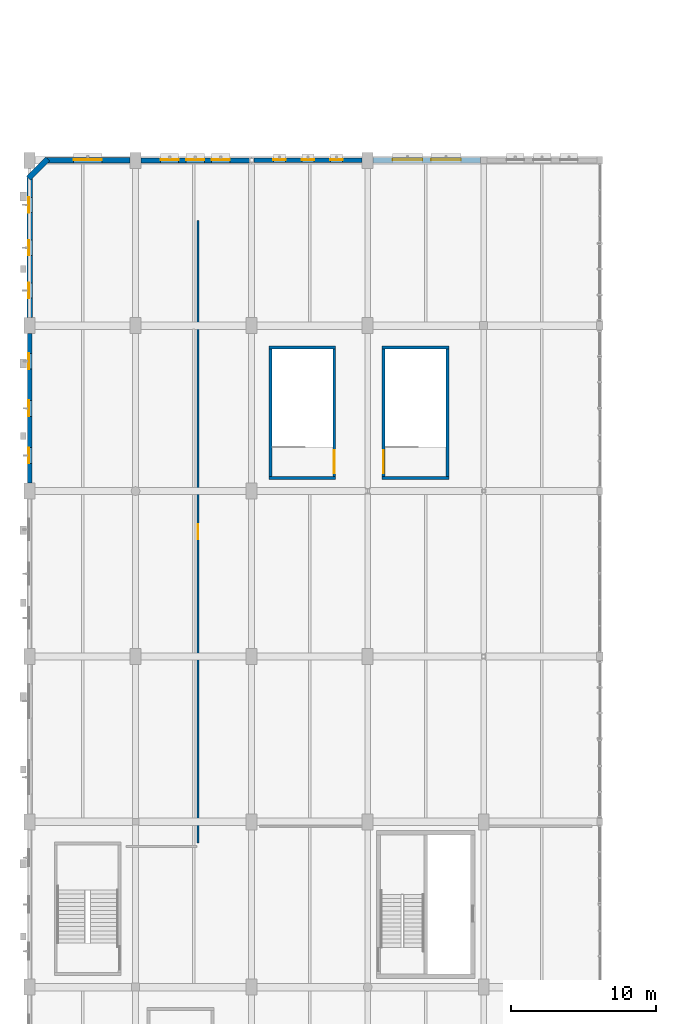
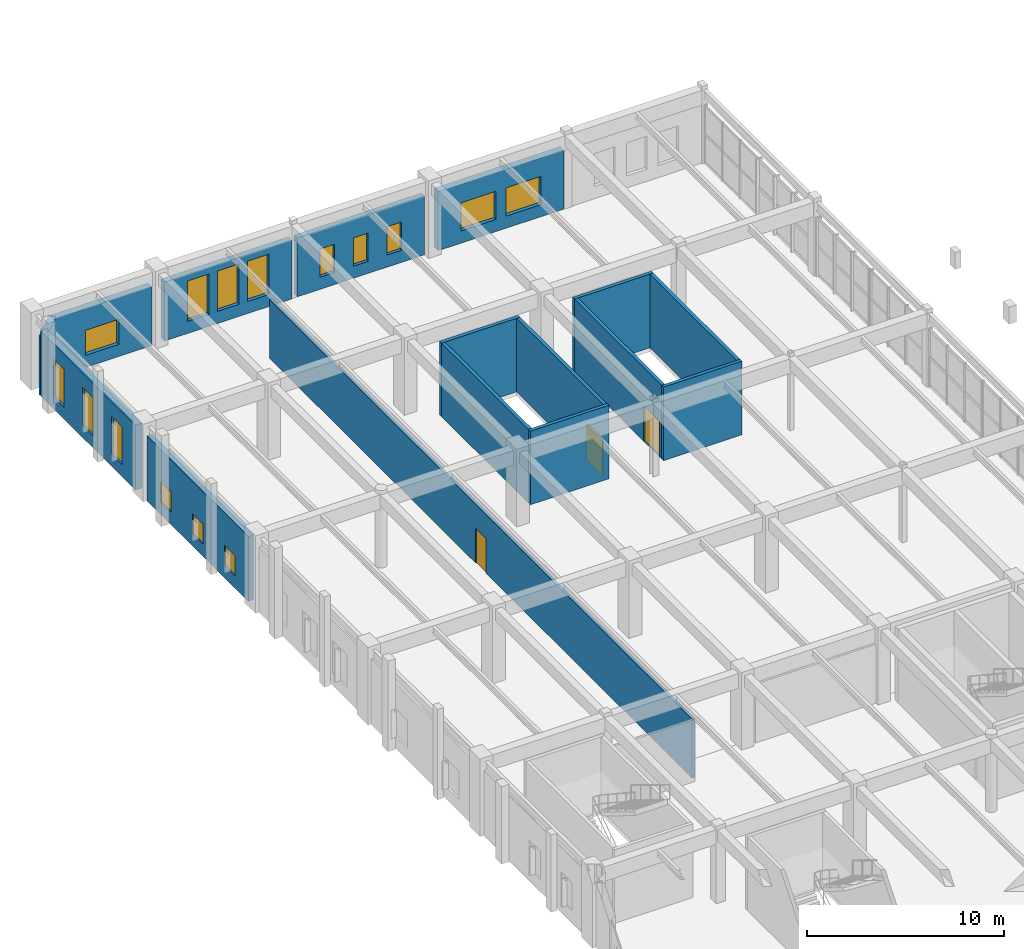
# One storey, part 84 of 106: 16 walls, 15 windows, 3 doors, 18 openings.
"""IFC4 building model written with IfcOpenShell, lengths in metres."""

import ifcopenshell
import ifcopenshell.guid

model = None  # the IFC model being written
_history = None  # IfcOwnerHistory: only IFC2X3 demands one
_inside = {}  # id of a spatial element -> (the spatial element, [elements in it])
_under = {}  # id of a project, library or spatial element -> (it, [spatial elements below it])
_declared = {}  # id of a project -> (the project, [libraries it declares])
_typed = {}  # id of a type object -> (the type object, [elements of that type])
_made_of = {}  # id of a material, layer set ... -> (it, [elements and type objects made of it])


def new_model(schema):
    """Start an empty IFC model of exactly this schema.

    Asked for "IFC4X3", IfcOpenShell would pick the latest addendum, in which some entities
    have other attributes; the version numbers below select the first issue.
    IFC2X3 requires an IfcOwnerHistory on every rooted entity: one is made here for all.
    """
    global model, _history
    if schema == "IFC4X3":
        model = ifcopenshell.file(schema_version=(4, 3, 0, 0))
    else:
        model = ifcopenshell.file(schema=schema)
    _inside.clear()
    _under.clear()
    _declared.clear()
    _typed.clear()
    _made_of.clear()
    _history = None
    if model.schema == "IFC2X3":
        org = make("IfcOrganization", Name="unknown")
        user = make(
            "IfcPersonAndOrganization",
            ThePerson=make("IfcPerson", FamilyName="unknown"),
            TheOrganization=org,
        )
        app = make(
            "IfcApplication",
            ApplicationDeveloper=org,
            Version="unknown",
            ApplicationFullName="unknown",
            ApplicationIdentifier="unknown",
        )
        _history = make(
            "IfcOwnerHistory",
            OwningUser=user,
            OwningApplication=app,
            ChangeAction="ADDED",
            CreationDate=0,
        )
    return model


def make(cls, **values):
    """One entity of the class cls with the attributes given. An attribute that is None is left unset."""
    return model.create_entity(
        cls, **{name: value for name, value in values.items() if value is not None}
    )


def rooted(cls, **values):
    """An entity with a GlobalId (a new one), such as an element, a storey or a relation."""
    return make(cls, GlobalId=ifcopenshell.guid.new(), OwnerHistory=_history, **values)


def si_unit(unit_type, name, prefix=None):
    """IfcSIUnit, for example si_unit("LENGTHUNIT", "METRE", prefix="MILLI")."""
    return make("IfcSIUnit", UnitType=unit_type, Prefix=prefix, Name=name)


def assignment(units):
    """IfcUnitAssignment: the units of a project."""
    return None if units is None else make("IfcUnitAssignment", Units=units)


def point(xyz):
    """IfcCartesianPoint."""
    return None if xyz is None else make("IfcCartesianPoint", Coordinates=xyz)


def direction(xyz):
    """IfcDirection."""
    return None if xyz is None else make("IfcDirection", DirectionRatios=xyz)


def frame(location, z_axis=None, x_axis=None):
    """IfcAxis2Placement3D, a coordinate frame: its origin and axes. An axis left out is left unset."""
    return make(
        "IfcAxis2Placement3D",
        Location=point(location),
        Axis=direction(z_axis),
        RefDirection=direction(x_axis),
    )


def frame_2d(location, x_axis=None):
    """IfcAxis2Placement2D, a coordinate frame in the plane: its origin and x axis."""
    return make(
        "IfcAxis2Placement2D", Location=point(location), RefDirection=direction(x_axis)
    )


def origin():
    """The frame at (0, 0, 0) with its axes left unset."""
    return frame((0.0, 0.0, 0.0))


def place(relative_to, where):
    """IfcLocalPlacement: puts the frame where relative to a parent placement (None: the world)."""
    return make(
        "IfcLocalPlacement", PlacementRelTo=relative_to, RelativePlacement=where
    )


def context(
    kind, dimensions, precision=None, world=None, true_north=None, identifier=None
):
    """IfcGeometricRepresentationContext, for example the 3D "Model" context."""
    return make(
        "IfcGeometricRepresentationContext",
        ContextIdentifier=identifier,
        ContextType=kind,
        CoordinateSpaceDimension=dimensions,
        Precision=precision,
        WorldCoordinateSystem=world,
        TrueNorth=true_north,
    )


def subcontext(parent, identifier, kind, view, scale=None):
    """IfcGeometricRepresentationSubContext, for example "Body" below "Model"."""
    return make(
        "IfcGeometricRepresentationSubContext",
        ContextIdentifier=identifier,
        ContextType=kind,
        ParentContext=parent,
        TargetScale=scale,
        TargetView=view,
    )


def project(units=None, contexts=None):
    """IfcProject with its units and contexts."""
    return rooted(
        "IfcProject",
        Name="project",
        RepresentationContexts=contexts,
        UnitsInContext=assignment(units),
    )


def spatial(cls, under=None, at=None, **own):
    """A site, building, storey or space (cls), placed at a placement, below another one or the project."""
    s = rooted(cls, ObjectPlacement=at, **own)
    if under is not None:
        _under.setdefault(under.id(), (under, []))[1].append(s)
    return s


def profile(cls, at=None, kind="AREA", **sizes):
    """A parametric profile (cls). Its sizes go by their IFC names, for example OverallWidth=200.0."""
    return make(cls, ProfileType=kind, Position=at, **sizes)


def rectangle(**sizes):
    """IfcRectangleProfileDef."""
    return profile("IfcRectangleProfileDef", **sizes)


def extrude(swept, where, along, depth):
    """IfcExtrudedAreaSolid: the profile swept, set in the frame where, extruded along a direction by depth."""
    return make(
        "IfcExtrudedAreaSolid",
        SweptArea=swept,
        Position=where,
        ExtrudedDirection=direction(along),
        Depth=depth,
    )


def shape(context_of_items, identifier, shape_type, items):
    """IfcShapeRepresentation: the items that make up one representation, for example the "Body"."""
    return make(
        "IfcShapeRepresentation",
        ContextOfItems=context_of_items,
        RepresentationIdentifier=identifier,
        RepresentationType=shape_type,
        Items=items,
    )


def material(Name=None, Category=None):
    """IfcMaterial."""
    return make("IfcMaterial", Name=Name, Category=Category)


def layer(
    of_material, thickness, ventilated=None, Name=None, Category=None, Priority=None
):
    """IfcMaterialLayer: one layer of a wall or slab, of a material (None: an air gap)."""
    return make(
        "IfcMaterialLayer",
        Material=of_material,
        LayerThickness=thickness,
        IsVentilated=ventilated,
        Name=Name,
        Category=Category,
        Priority=Priority,
    )


def layer_set(layers, Name=None):
    """IfcMaterialLayerSet."""
    return make("IfcMaterialLayerSet", MaterialLayers=layers, LayerSetName=Name)


def made_of(thing, what):
    """Note that an element or type object is made of a material, layer set ...; save() writes the relation."""
    if what is not None:
        _made_of.setdefault(what.id(), (what, []))[1].append(thing)
    return thing


def type_object(cls, material=None, **own):
    """A type object (cls), such as IfcWallType, which elements share."""
    return made_of(rooted(cls, **own), material)


def element(
    cls,
    number,
    at=None,
    inside=None,
    cuts=None,
    type_object=None,
    material=None,
    context=None,
    identifier="Body",
    shape_type=None,
    held_by="IfcProductDefinitionShape",
    body=None,
    shapes=None,
    **own,
):
    """One element of the class cls, such as IfcWall. Its Tag is "e" and its number.

    at: its placement. inside: the storey or other place that contains it. cuts: it is an
    opening in that element (IfcRelVoidsElement). A single representation is given by context,
    identifier, shape_type and body (its items); several are given by shapes. held_by: the class
    of the entity that holds the representations. save() writes the other relations.
    """
    e = rooted(cls, Tag="e%d" % number, ObjectPlacement=at, **own)
    if body is not None:
        shapes = [shape(context, identifier, shape_type, body)]
    if shapes is not None:
        e.Representation = make(held_by, Representations=shapes)
    if inside is not None:
        _inside.setdefault(inside.id(), (inside, []))[1].append(e)
    if cuts is not None:
        rooted(
            "IfcRelVoidsElement", RelatingBuildingElement=cuts, RelatedOpeningElement=e
        )
    if type_object is not None:
        _typed.setdefault(type_object.id(), (type_object, []))[1].append(e)
    return made_of(e, material)


def fill(opening, filler):
    """IfcRelFillsElement: the door or window that sits in an opening."""
    return rooted(
        "IfcRelFillsElement",
        RelatingOpeningElement=opening,
        RelatedBuildingElement=filler,
    )


def aggregate(whole, parts):
    """IfcRelAggregates: a whole, such as a stair, and the parts it consists of."""
    return rooted("IfcRelAggregates", RelatingObject=whole, RelatedObjects=parts)


def save(model, path):
    """Write the relations noted so far, then the file.

    IfcRelAggregates (storeys below a building ...), IfcRelContainedInSpatialStructure (elements
    in a storey), IfcRelDefinesByType, IfcRelAssociatesMaterial and IfcRelDeclares: one each for
    every whole, place, type object, material and project.
    """
    for whole, parts in _under.values():
        aggregate(whole, parts)
    for where, things in _inside.values():
        rooted(
            "IfcRelContainedInSpatialStructure",
            RelatedElements=things,
            RelatingStructure=where,
        )
    for kind, things in _typed.values():
        rooted("IfcRelDefinesByType", RelatedObjects=things, RelatingType=kind)
    for what, things in _made_of.values():
        rooted("IfcRelAssociatesMaterial", RelatedObjects=things, RelatingMaterial=what)
    for by, libraries in _declared.values():
        rooted("IfcRelDeclares", RelatingContext=by, RelatedDefinitions=libraries)
    model.write(path)


model = new_model("IFC4")

# Units and contexts
model_context = context("Model", 3, precision=1e-05, world=origin(), true_north=direction((0.0, 1.0)))
body_context = subcontext(model_context, "Body", "Model", "MODEL_VIEW")
ifc_project = project(units=[si_unit("LENGTHUNIT", "METRE"), si_unit("AREAUNIT", "SQUARE_METRE"), si_unit("VOLUMEUNIT", "CUBIC_METRE"), si_unit("PLANEANGLEUNIT", "RADIAN"), si_unit("MASSUNIT", "GRAM", prefix="KILO"), si_unit("POWERUNIT", "WATT"), si_unit("THERMODYNAMICTEMPERATUREUNIT", "KELVIN")], contexts=[model_context])

# Site, building, storey
site_placement = place(None, origin())
site = spatial("IfcSite", under=ifc_project, at=site_placement, CompositionType="ELEMENT")
building_placement = place(site_placement, origin())
building = spatial("IfcBuilding", under=site, at=building_placement, Name="Kelmbourne Parkland Aquatics Centre", CompositionType="ELEMENT")
storey_placement = place(building_placement, frame((0.0, 0.0, 5.39990234375)))
storey = spatial("IfcBuildingStorey", under=building, at=storey_placement, Name="L01", CompositionType="ELEMENT", Elevation=5.39990234375)

# Wall, openings, windows
ifc_material_1 = material(Name="Russet clinker clay brickwork", Category="masonry")
ifc_layer_1 = layer(ifc_material_1, 0.31005859375)
ifc_layer_set_1 = layer_set([ifc_layer_1], Name="Russet clinker clay brickwork")
wall_type_1 = type_object("IfcWallType", Name="W-EXT-310", PredefinedType="STANDARD", material=ifc_layer_set_1)
wall_1_placement = place(storey_placement, frame((0.699951171875, 69.751953125, 0.0), z_axis=(0.0, 0.0, 1.0), x_axis=(0.0, 1.0, 0.0)))
wall_1 = element("IfcWall", 1, at=wall_1_placement, inside=storey, type_object=wall_type_1, Name="Exterior polychrome brick wall EW-L01-062", PredefinedType="STANDARD", context=body_context, shape_type="SweptSolid", body=[
    extrude(rectangle(XDim=10.296142578125, YDim=0.31005859375, at=frame_2d((5.14794921875, 0.0))), origin(), (0.0, 0.0, 1.0), 4.01220703125),
])
opening_1_placement = place(wall_1_placement, frame((1.35009765625, 0.0, 0.75)))
opening_1 = element("IfcOpeningElement", 2, at=opening_1_placement, cuts=wall_1, Name="Opening W13", PredefinedType="OPENING", context=body_context, shape_type="SweptSolid", body=[
    extrude(rectangle(XDim=1.10009765625, YDim=1.25, at=frame_2d((0.550048828125, 0.625))), frame((0.0, 0.1669921875, 0.0), z_axis=(0.0, -1.0, 0.0), x_axis=(1.0, 0.0, 0.0)), (0.0, 0.0, 1.0), 0.333984375),
])
opening_2_placement = place(wall_1_placement, frame((4.597900390625, 0.0, 0.75)))
opening_2 = element("IfcOpeningElement", 3, at=opening_2_placement, cuts=wall_1, Name="Opening W13", PredefinedType="OPENING", context=body_context, shape_type="SweptSolid", body=[
    extrude(rectangle(XDim=1.10009765625, YDim=1.25, at=frame_2d((0.550048828125, 0.625))), frame((0.0, 0.1669921875, 0.0), z_axis=(0.0, -1.0, 0.0), x_axis=(1.0, 0.0, 0.0)), (0.0, 0.0, 1.0), 0.333984375),
])
opening_3_placement = place(wall_1_placement, frame((7.845947265625, 0.0, 0.75)))
opening_3 = element("IfcOpeningElement", 4, at=opening_3_placement, cuts=wall_1, Name="Opening W13", PredefinedType="OPENING", context=body_context, shape_type="SweptSolid", body=[
    extrude(rectangle(XDim=1.10009765625, YDim=1.25, at=frame_2d((0.550048828125, 0.625))), frame((0.0, 0.1669921875, 0.0), z_axis=(0.0, -1.0, 0.0), x_axis=(1.0, 0.0, 0.0)), (0.0, 0.0, 1.0), 0.333984375),
])
ifc_material_2 = material(Name="Thermally broken anodised aluminium window with low-e glass", Category="aluminium")
ifc_layer_2 = layer(ifc_material_2, 0.090087890625)
ifc_layer_set_2 = layer_set([ifc_layer_2], Name="Thermally broken anodised aluminium window with low-e glass")
window_type_1 = type_object("IfcWindowType", Name="WN-13", PartitioningType="SINGLE_PANEL", PredefinedType="WINDOW", material=ifc_layer_set_2)
window_1_placement = place(opening_1_placement, origin())
window_1 = element("IfcWindow", 5, at=window_1_placement, inside=storey, type_object=window_type_1, Name="Deep-reveal masonry window W13", OverallHeight=1.25, OverallWidth=1.10009765625, PartitioningType="SINGLE_PANEL", PredefinedType="WINDOW", context=body_context, shape_type="SweptSolid", body=[
    extrude(rectangle(XDim=1.10009765625, YDim=1.25, at=frame_2d((0.550048828125, 0.625))), frame((0.0, 0.080078125, 0.0), z_axis=(0.0, -1.0, 0.0), x_axis=(1.0, 0.0, 0.0)), (0.0, 0.0, 1.0), 0.06005859375),
])
fill(opening_1, window_1)
window_2_placement = place(opening_2_placement, origin())
window_2 = element("IfcWindow", 6, at=window_2_placement, inside=storey, type_object=window_type_1, Name="Deep-reveal masonry window W13", OverallHeight=1.25, OverallWidth=1.10009765625, PartitioningType="SINGLE_PANEL", PredefinedType="WINDOW", context=body_context, shape_type="SweptSolid", body=[
    extrude(rectangle(XDim=1.10009765625, YDim=1.25, at=frame_2d((0.550048828125, 0.625))), frame((0.0, 0.080078125, 0.0), z_axis=(0.0, -1.0, 0.0), x_axis=(1.0, 0.0, 0.0)), (0.0, 0.0, 1.0), 0.06005859375),
])
fill(opening_2, window_2)
window_3_placement = place(opening_3_placement, origin())
window_3 = element("IfcWindow", 7, at=window_3_placement, inside=storey, type_object=window_type_1, Name="Deep-reveal masonry window W13", OverallHeight=1.25, OverallWidth=1.10009765625, PartitioningType="SINGLE_PANEL", PredefinedType="WINDOW", context=body_context, shape_type="SweptSolid", body=[
    extrude(rectangle(XDim=1.10009765625, YDim=1.25, at=frame_2d((0.550048828125, 0.625))), frame((0.0, 0.080078125, 0.0), z_axis=(0.0, -1.0, 0.0), x_axis=(1.0, 0.0, 0.0)), (0.0, 0.0, 1.0), 0.06005859375),
])
fill(opening_3, window_3)

wall_2_placement = place(storey_placement, frame((16.152099609375, 92.0, 0.0), z_axis=(0.0, 0.0, 1.0), x_axis=(1.0, 0.0, 0.0)))
wall_2 = element("IfcWall", 8, at=wall_2_placement, inside=storey, type_object=wall_type_1, Name="Exterior polychrome brick wall EW-L01-071", PredefinedType="STANDARD", context=body_context, shape_type="SweptSolid", body=[
    extrude(rectangle(XDim=7.470947265625, YDim=0.31005859375, at=frame_2d((3.7353515625, 0.0))), origin(), (0.0, 0.0, 1.0), 3.64501953125),
])
opening_4_placement = place(wall_2_placement, frame((1.35009765625, 0.0, 0.75)))
opening_4 = element("IfcOpeningElement", 9, at=opening_4_placement, cuts=wall_2, Name="Opening W01", PredefinedType="OPENING", context=body_context, shape_type="SweptSolid", body=[
    extrude(rectangle(XDim=0.85009765625, YDim=1.75, at=frame_2d((0.425048828125, 0.875))), frame((0.0, 0.1669921875, 0.0), z_axis=(0.0, -1.0, 0.0), x_axis=(1.0, 0.0, 0.0)), (0.0, 0.0, 1.0), 0.333984375),
])
opening_5_placement = place(wall_2_placement, frame((3.310546875, 0.0, 0.75)))
opening_5 = element("IfcOpeningElement", 10, at=opening_5_placement, cuts=wall_2, Name="Opening W01", PredefinedType="OPENING", context=body_context, shape_type="SweptSolid", body=[
    extrude(rectangle(XDim=0.85009765625, YDim=1.75, at=frame_2d((0.425048828125, 0.875))), frame((0.0, 0.1669921875, 0.0), z_axis=(0.0, -1.0, 0.0), x_axis=(1.0, 0.0, 0.0)), (0.0, 0.0, 1.0), 0.333984375),
])
opening_6_placement = place(wall_2_placement, frame((5.27099609375, 0.0, 0.75)))
opening_6 = element("IfcOpeningElement", 11, at=opening_6_placement, cuts=wall_2, Name="Opening W01", PredefinedType="OPENING", context=body_context, shape_type="SweptSolid", body=[
    extrude(rectangle(XDim=0.85009765625, YDim=1.75, at=frame_2d((0.425048828125, 0.875))), frame((0.0, 0.1669921875, 0.0), z_axis=(0.0, -1.0, 0.0), x_axis=(1.0, 0.0, 0.0)), (0.0, 0.0, 1.0), 0.333984375),
])
ifc_layer_3 = layer(ifc_material_2, 0.090087890625)
ifc_layer_set_3 = layer_set([ifc_layer_3], Name="Thermally broken anodised aluminium window with low-e glass")
window_type_2 = type_object("IfcWindowType", Name="WN-01", PartitioningType="SINGLE_PANEL", PredefinedType="WINDOW", material=ifc_layer_set_3)
window_4_placement = place(opening_4_placement, origin())
window_4 = element("IfcWindow", 12, at=window_4_placement, inside=storey, type_object=window_type_2, Name="Deep-reveal masonry window W01", OverallHeight=1.75, OverallWidth=0.85009765625, PartitioningType="SINGLE_PANEL", PredefinedType="WINDOW", context=body_context, shape_type="SweptSolid", body=[
    extrude(rectangle(XDim=0.85009765625, YDim=1.75, at=frame_2d((0.425048828125, 0.875))), frame((0.0, 0.080078125, 0.0), z_axis=(0.0, -1.0, 0.0), x_axis=(1.0, 0.0, 0.0)), (0.0, 0.0, 1.0), 0.06005859375),
])
fill(opening_4, window_4)
window_5_placement = place(opening_5_placement, origin())
window_5 = element("IfcWindow", 13, at=window_5_placement, inside=storey, type_object=window_type_2, Name="Deep-reveal masonry window W01", OverallHeight=1.75, OverallWidth=0.85009765625, PartitioningType="SINGLE_PANEL", PredefinedType="WINDOW", context=body_context, shape_type="SweptSolid", body=[
    extrude(rectangle(XDim=0.85009765625, YDim=1.75, at=frame_2d((0.425048828125, 0.875))), frame((0.0, 0.080078125, 0.0), z_axis=(0.0, -1.0, 0.0), x_axis=(1.0, 0.0, 0.0)), (0.0, 0.0, 1.0), 0.06005859375),
])
fill(opening_5, window_5)
window_6_placement = place(opening_6_placement, origin())
window_6 = element("IfcWindow", 14, at=window_6_placement, inside=storey, type_object=window_type_2, Name="Deep-reveal masonry window W01", OverallHeight=1.75, OverallWidth=0.85009765625, PartitioningType="SINGLE_PANEL", PredefinedType="WINDOW", context=body_context, shape_type="SweptSolid", body=[
    extrude(rectangle(XDim=0.85009765625, YDim=1.75, at=frame_2d((0.425048828125, 0.875))), frame((0.0, 0.080078125, 0.0), z_axis=(0.0, -1.0, 0.0), x_axis=(1.0, 0.0, 0.0)), (0.0, 0.0, 1.0), 0.06005859375),
])
fill(opening_6, window_6)

ifc_material_3 = material(Name="Polychrome glazed brick header coursework", Category="masonry")
ifc_layer_4 = layer(ifc_material_3, 0.35009765625)
ifc_layer_set_4 = layer_set([ifc_layer_4], Name="Polychrome glazed brick header coursework")
wall_type_2 = type_object("IfcWallType", Name="W-EXT-350", PredefinedType="STANDARD", material=ifc_layer_set_4)
wall_3_placement = place(storey_placement, frame((8.376953125, 92.0, 0.0), z_axis=(0.0, 0.0, 1.0), x_axis=(1.0, 0.0, 0.0)))
wall_3 = element("IfcWall", 15, at=wall_3_placement, inside=storey, type_object=wall_type_2, Name="Exterior polychrome brick wall EW-L01-070", PredefinedType="STANDARD", context=body_context, shape_type="SweptSolid", body=[
    extrude(rectangle(XDim=7.470947265625, YDim=0.35009765625, at=frame_2d((3.7353515625, 0.0))), origin(), (0.0, 0.0, 1.0), 3.64501953125),
])
opening_7_placement = place(wall_3_placement, frame((1.35009765625, 0.0, 0.75)))
opening_7 = element("IfcOpeningElement", 16, at=opening_7_placement, cuts=wall_3, Name="Opening W25", PredefinedType="OPENING", context=body_context, shape_type="SweptSolid", body=[
    extrude(rectangle(XDim=1.25, YDim=2.5, at=frame_2d((0.625, 1.25))), frame((0.0, 0.18701171875, 0.0), z_axis=(0.0, -1.0, 0.0), x_axis=(1.0, 0.0, 0.0)), (0.0, 0.0, 1.0), 0.3740234375),
])
opening_8_placement = place(wall_3_placement, frame((3.110595703125, 0.0, 0.75)))
opening_8 = element("IfcOpeningElement", 17, at=opening_8_placement, cuts=wall_3, Name="Opening W25", PredefinedType="OPENING", context=body_context, shape_type="SweptSolid", body=[
    extrude(rectangle(XDim=1.25, YDim=2.5, at=frame_2d((0.625, 1.25))), frame((0.0, 0.18701171875, 0.0), z_axis=(0.0, -1.0, 0.0), x_axis=(1.0, 0.0, 0.0)), (0.0, 0.0, 1.0), 0.3740234375),
])
opening_9_placement = place(wall_3_placement, frame((4.87109375, 0.0, 0.75)))
opening_9 = element("IfcOpeningElement", 18, at=opening_9_placement, cuts=wall_3, Name="Opening W25", PredefinedType="OPENING", context=body_context, shape_type="SweptSolid", body=[
    extrude(rectangle(XDim=1.25, YDim=2.5, at=frame_2d((0.625, 1.25))), frame((0.0, 0.18701171875, 0.0), z_axis=(0.0, -1.0, 0.0), x_axis=(1.0, 0.0, 0.0)), (0.0, 0.0, 1.0), 0.3740234375),
])
ifc_layer_5 = layer(ifc_material_2, 0.090087890625)
ifc_layer_set_5 = layer_set([ifc_layer_5], Name="Thermally broken anodised aluminium window with low-e glass")
window_type_3 = type_object("IfcWindowType", Name="WN-25", PartitioningType="SINGLE_PANEL", PredefinedType="WINDOW", material=ifc_layer_set_5)
window_7_placement = place(opening_7_placement, origin())
window_7 = element("IfcWindow", 19, at=window_7_placement, inside=storey, type_object=window_type_3, Name="Deep-reveal masonry window W25", OverallHeight=2.5, OverallWidth=1.25, PartitioningType="SINGLE_PANEL", PredefinedType="WINDOW", context=body_context, shape_type="SweptSolid", body=[
    extrude(rectangle(XDim=1.25, YDim=2.5, at=frame_2d((0.625, 1.25))), frame((0.0, 0.080078125, 0.0), z_axis=(0.0, -1.0, 0.0), x_axis=(1.0, 0.0, 0.0)), (0.0, 0.0, 1.0), 0.06005859375),
])
fill(opening_7, window_7)
window_8_placement = place(opening_8_placement, origin())
window_8 = element("IfcWindow", 20, at=window_8_placement, inside=storey, type_object=window_type_3, Name="Deep-reveal masonry window W25", OverallHeight=2.5, OverallWidth=1.25, PartitioningType="SINGLE_PANEL", PredefinedType="WINDOW", context=body_context, shape_type="SweptSolid", body=[
    extrude(rectangle(XDim=1.25, YDim=2.5, at=frame_2d((0.625, 1.25))), frame((0.0, 0.080078125, 0.0), z_axis=(0.0, -1.0, 0.0), x_axis=(1.0, 0.0, 0.0)), (0.0, 0.0, 1.0), 0.06005859375),
])
fill(opening_8, window_8)
window_9_placement = place(opening_9_placement, origin())
window_9 = element("IfcWindow", 21, at=window_9_placement, inside=storey, type_object=window_type_3, Name="Deep-reveal masonry window W25", OverallHeight=2.5, OverallWidth=1.25, PartitioningType="SINGLE_PANEL", PredefinedType="WINDOW", context=body_context, shape_type="SweptSolid", body=[
    extrude(rectangle(XDim=1.25, YDim=2.5, at=frame_2d((0.625, 1.25))), frame((0.0, 0.080078125, 0.0), z_axis=(0.0, -1.0, 0.0), x_axis=(1.0, 0.0, 0.0)), (0.0, 0.0, 1.0), 0.06005859375),
])
fill(opening_9, window_9)

ifc_layer_6 = layer(ifc_material_1, 0.389892578125)
ifc_layer_set_6 = layer_set([ifc_layer_6], Name="Russet clinker clay brickwork")
wall_type_3 = type_object("IfcWallType", Name="W-EXT-390", PredefinedType="STANDARD", material=ifc_layer_set_6)
wall_4_placement = place(storey_placement, frame((0.699951171875, 81.152099609375, 0.0), z_axis=(0.0, 0.0, 1.0), x_axis=(0.0, 1.0, 0.0)))
wall_4 = element("IfcWall", 22, at=wall_4_placement, inside=storey, type_object=wall_type_3, Name="Exterior polychrome brick wall EW-L01-063", PredefinedType="STANDARD", context=body_context, shape_type="SweptSolid", body=[
    extrude(rectangle(XDim=9.64794921875, YDim=0.389892578125, at=frame_2d((4.823974609375, 0.0))), origin(), (0.0, 0.0, 1.0), 4.01220703125),
])
opening_10_placement = place(wall_4_placement, frame((1.35009765625, 0.0, 0.75)))
opening_10 = element("IfcOpeningElement", 23, at=opening_10_placement, cuts=wall_4, Name="Opening W17", PredefinedType="OPENING", context=body_context, shape_type="SweptSolid", body=[
    extrude(rectangle(XDim=1.050048828125, YDim=2.35009765625, at=frame_2d((0.52490234375, 1.175048828125))), frame((0.0, 0.20703125, 0.0), z_axis=(0.0, -1.0, 0.0), x_axis=(1.0, 0.0, 0.0)), (0.0, 0.0, 1.0), 0.413818359375),
])
opening_11_placement = place(wall_4_placement, frame((4.299072265625, 0.0, 0.75)))
opening_11 = element("IfcOpeningElement", 24, at=opening_11_placement, cuts=wall_4, Name="Opening W17", PredefinedType="OPENING", context=body_context, shape_type="SweptSolid", body=[
    extrude(rectangle(XDim=1.050048828125, YDim=2.35009765625, at=frame_2d((0.52490234375, 1.175048828125))), frame((0.0, 0.20703125, 0.0), z_axis=(0.0, -1.0, 0.0), x_axis=(1.0, 0.0, 0.0)), (0.0, 0.0, 1.0), 0.413818359375),
])
opening_12_placement = place(wall_4_placement, frame((7.248046875, 0.0, 0.75)))
opening_12 = element("IfcOpeningElement", 25, at=opening_12_placement, cuts=wall_4, Name="Opening W17", PredefinedType="OPENING", context=body_context, shape_type="SweptSolid", body=[
    extrude(rectangle(XDim=1.050048828125, YDim=2.35009765625, at=frame_2d((0.52490234375, 1.175048828125))), frame((0.0, 0.20703125, 0.0), z_axis=(0.0, -1.0, 0.0), x_axis=(1.0, 0.0, 0.0)), (0.0, 0.0, 1.0), 0.413818359375),
])
ifc_layer_7 = layer(ifc_material_2, 0.090087890625)
ifc_layer_set_7 = layer_set([ifc_layer_7], Name="Thermally broken anodised aluminium window with low-e glass")
window_type_4 = type_object("IfcWindowType", Name="WN-17", PartitioningType="SINGLE_PANEL", PredefinedType="WINDOW", material=ifc_layer_set_7)
window_10_placement = place(opening_10_placement, origin())
window_10 = element("IfcWindow", 26, at=window_10_placement, inside=storey, type_object=window_type_4, Name="Deep-reveal masonry window W17", OverallHeight=2.35009765625, OverallWidth=1.050048828125, PartitioningType="SINGLE_PANEL", PredefinedType="WINDOW", context=body_context, shape_type="SweptSolid", body=[
    extrude(rectangle(XDim=1.050048828125, YDim=2.35009765625, at=frame_2d((0.52490234375, 1.175048828125))), frame((0.0, 0.080078125, 0.0), z_axis=(0.0, -1.0, 0.0), x_axis=(1.0, 0.0, 0.0)), (0.0, 0.0, 1.0), 0.06005859375),
])
fill(opening_10, window_10)
window_11_placement = place(opening_11_placement, origin())
window_11 = element("IfcWindow", 27, at=window_11_placement, inside=storey, type_object=window_type_4, Name="Deep-reveal masonry window W17", OverallHeight=2.35009765625, OverallWidth=1.050048828125, PartitioningType="SINGLE_PANEL", PredefinedType="WINDOW", context=body_context, shape_type="SweptSolid", body=[
    extrude(rectangle(XDim=1.050048828125, YDim=2.35009765625, at=frame_2d((0.52490234375, 1.175048828125))), frame((0.0, 0.080078125, 0.0), z_axis=(0.0, -1.0, 0.0), x_axis=(1.0, 0.0, 0.0)), (0.0, 0.0, 1.0), 0.06005859375),
])
fill(opening_11, window_11)
window_12_placement = place(opening_12_placement, origin())
window_12 = element("IfcWindow", 28, at=window_12_placement, inside=storey, type_object=window_type_4, Name="Deep-reveal masonry window W17", OverallHeight=2.35009765625, OverallWidth=1.050048828125, PartitioningType="SINGLE_PANEL", PredefinedType="WINDOW", context=body_context, shape_type="SweptSolid", body=[
    extrude(rectangle(XDim=1.050048828125, YDim=2.35009765625, at=frame_2d((0.52490234375, 1.175048828125))), frame((0.0, 0.080078125, 0.0), z_axis=(0.0, -1.0, 0.0), x_axis=(1.0, 0.0, 0.0)), (0.0, 0.0, 1.0), 0.06005859375),
])
fill(opening_12, window_12)

# Wall, opening, window
wall_5_placement = place(storey_placement, frame((1.800048828125, 92.0, 0.0), z_axis=(0.0, 0.0, 1.0), x_axis=(1.0, 0.0, 0.0)))
wall_5 = element("IfcWall", 29, at=wall_5_placement, inside=storey, type_object=wall_type_3, Name="Exterior polychrome brick wall EW-L01-069", PredefinedType="STANDARD", context=body_context, shape_type="SweptSolid", body=[
    extrude(rectangle(XDim=5.822998046875, YDim=0.389892578125, at=frame_2d((2.91162109375, 0.0))), origin(), (0.0, 0.0, 1.0), 3.64501953125),
])
opening_13_placement = place(wall_5_placement, frame((1.9365234375, 0.0, 0.75)))
opening_13 = element("IfcOpeningElement", 30, at=opening_13_placement, cuts=wall_5, Name="Opening W23", PredefinedType="OPENING", context=body_context, shape_type="SweptSolid", body=[
    extrude(rectangle(XDim=1.949951171875, YDim=1.550048828125, at=frame_2d((0.97509765625, 0.77490234375))), frame((0.0, 0.20703125, 0.0), z_axis=(0.0, -1.0, 0.0), x_axis=(1.0, 0.0, 0.0)), (0.0, 0.0, 1.0), 0.413818359375),
])
ifc_layer_8 = layer(ifc_material_2, 0.090087890625)
ifc_layer_set_8 = layer_set([ifc_layer_8], Name="Thermally broken anodised aluminium window with low-e glass")
window_type_5 = type_object("IfcWindowType", Name="WN-23", PartitioningType="DOUBLE_PANEL_VERTICAL", PredefinedType="WINDOW", material=ifc_layer_set_8)
window_13_placement = place(opening_13_placement, origin())
window_13 = element("IfcWindow", 31, at=window_13_placement, inside=storey, type_object=window_type_5, Name="Deep-reveal masonry window W23", OverallHeight=1.550048828125, OverallWidth=1.949951171875, PartitioningType="DOUBLE_PANEL_VERTICAL", PredefinedType="WINDOW", context=body_context, shape_type="SweptSolid", body=[
    extrude(rectangle(XDim=1.949951171875, YDim=1.550048828125, at=frame_2d((0.97509765625, 0.77490234375))), frame((0.0, 0.080078125, 0.0), z_axis=(0.0, -1.0, 0.0), x_axis=(1.0, 0.0, 0.0)), (0.0, 0.0, 1.0), 0.06005859375),
])
fill(opening_13, window_13)

# Wall, openings, windows
wall_6_placement = place(storey_placement, frame((24.376953125, 92.0, 0.0), z_axis=(0.0, 0.0, 1.0), x_axis=(1.0, 0.0, 0.0)))
wall_6 = element("IfcWall", 32, at=wall_6_placement, inside=storey, type_object=wall_type_3, Name="Exterior polychrome brick wall EW-L01-072", PredefinedType="STANDARD", context=body_context, shape_type="SweptSolid", body=[
    extrude(rectangle(XDim=7.39599609375, YDim=0.389892578125, at=frame_2d((3.697998046875, 0.0))), origin(), (0.0, 0.0, 1.0), 3.64501953125),
])
opening_14_placement = place(wall_6_placement, frame((1.35009765625, 0.0, 0.75)))
opening_14 = element("IfcOpeningElement", 33, at=opening_14_placement, cuts=wall_6, Name="Opening W05", PredefinedType="OPENING", context=body_context, shape_type="SweptSolid", body=[
    extrude(rectangle(XDim=2.050048828125, YDim=1.75, at=frame_2d((1.02490234375, 0.875))), frame((0.0, 0.20703125, 0.0), z_axis=(0.0, -1.0, 0.0), x_axis=(1.0, 0.0, 0.0)), (0.0, 0.0, 1.0), 0.413818359375),
])
opening_15_placement = place(wall_6_placement, frame((3.99609375, 0.0, 0.75)))
opening_15 = element("IfcOpeningElement", 34, at=opening_15_placement, cuts=wall_6, Name="Opening W05", PredefinedType="OPENING", context=body_context, shape_type="SweptSolid", body=[
    extrude(rectangle(XDim=2.050048828125, YDim=1.75, at=frame_2d((1.02490234375, 0.875))), frame((0.0, 0.20703125, 0.0), z_axis=(0.0, -1.0, 0.0), x_axis=(1.0, 0.0, 0.0)), (0.0, 0.0, 1.0), 0.413818359375),
])
ifc_layer_9 = layer(ifc_material_2, 0.090087890625)
ifc_layer_set_9 = layer_set([ifc_layer_9], Name="Thermally broken anodised aluminium window with low-e glass")
window_type_6 = type_object("IfcWindowType", Name="WN-05", PartitioningType="TRIPLE_PANEL_VERTICAL", PredefinedType="WINDOW", material=ifc_layer_set_9)
window_14_placement = place(opening_14_placement, origin())
window_14 = element("IfcWindow", 35, at=window_14_placement, inside=storey, type_object=window_type_6, Name="Deep-reveal masonry window W05", OverallHeight=1.75, OverallWidth=2.050048828125, PartitioningType="TRIPLE_PANEL_VERTICAL", PredefinedType="WINDOW", context=body_context, shape_type="SweptSolid", body=[
    extrude(rectangle(XDim=2.050048828125, YDim=1.75, at=frame_2d((1.02490234375, 0.875))), frame((0.0, 0.080078125, 0.0), z_axis=(0.0, -1.0, 0.0), x_axis=(1.0, 0.0, 0.0)), (0.0, 0.0, 1.0), 0.06005859375),
])
fill(opening_14, window_14)
window_15_placement = place(opening_15_placement, origin())
window_15 = element("IfcWindow", 36, at=window_15_placement, inside=storey, type_object=window_type_6, Name="Deep-reveal masonry window W05", OverallHeight=1.75, OverallWidth=2.050048828125, PartitioningType="TRIPLE_PANEL_VERTICAL", PredefinedType="WINDOW", context=body_context, shape_type="SweptSolid", body=[
    extrude(rectangle(XDim=2.050048828125, YDim=1.75, at=frame_2d((1.02490234375, 0.875))), frame((0.0, 0.080078125, 0.0), z_axis=(0.0, -1.0, 0.0), x_axis=(1.0, 0.0, 0.0)), (0.0, 0.0, 1.0), 0.06005859375),
])
fill(opening_15, window_15)

# Walls
wall_7_placement = place(storey_placement, frame((0.6201171875, 90.75, 0.0), z_axis=(0.0, 0.0, 1.0), x_axis=(0.707041876255, 0.707171680161, 0.0)))
element("IfcWall", 37, at=wall_7_placement, inside=storey, type_object=wall_type_3, Name="Stepped brick corner bevel CHAM-L01-NW", PredefinedType="STANDARD", context=body_context, shape_type="SweptSolid", body=[
    extrude(rectangle(XDim=1.880859375, YDim=0.389892578125, at=frame_2d((0.9404296875, 0.0))), origin(), (0.0, 0.0, 1.0), 3.64501953125),
])
ifc_material_4 = material(Name="Concrete blockwork C32/40", Category="masonry")
ifc_layer_10 = layer(ifc_material_4, 0.199951171875)
ifc_layer_set_10 = layer_set([ifc_layer_10], Name="Concrete blockwork C32/40")
wall_type_4 = type_object("IfcWallType", Name="W-FIRE-200", PredefinedType="SOLIDWALL", material=ifc_layer_set_10)
for number, where, z_axis, x_axis, name in (
    (38, (25.0, 70.10009765625, 0.0), (0.0, 0.0, 1.0), (1.0, 0.0, 0.0), "West North Prow Exit Stair south enclosure (L01)"),
    (39, (25.0, 79.10009765625, 0.0), (0.0, 0.0, 1.0), (1.0, 0.0, 0.0), "West North Prow Exit Stair north enclosure (L01)"),
):
    element("IfcWall", number, at=place(storey_placement, frame(where, z_axis=z_axis, x_axis=x_axis)), inside=storey, type_object=wall_type_4, Name=name, PredefinedType="SOLIDWALL", context=body_context, shape_type="SweptSolid", body=[
        extrude(rectangle(XDim=4.60009765625, YDim=0.199951171875, at=frame_2d((2.300048828125, 0.0))), origin(), (0.0, 0.0, 1.0), 4.56005859375),
    ])

# Wall, opening, door
wall_8_placement = place(storey_placement, frame((25.10009765625, 70.199951171875, 0.0), z_axis=(0.0, 0.0, 1.0), x_axis=(0.0, 1.0, 0.0)))
wall_8 = element("IfcWall", 40, at=wall_8_placement, inside=storey, type_object=wall_type_4, Name="West North Prow Exit Stair west enclosure (L01)", PredefinedType="SOLIDWALL", context=body_context, shape_type="SweptSolid", body=[
    extrude(rectangle(XDim=8.800048828125, YDim=0.199951171875, at=frame_2d((4.39990234375, 0.0))), origin(), (0.0, 0.0, 1.0), 4.56005859375),
])
opening_16_placement = place(wall_8_placement, frame((0.219970703125, 0.0, 0.0)))
opening_16 = element("IfcOpeningElement", 41, at=opening_16_placement, cuts=wall_8, Name="Opening FD02", PredefinedType="OPENING", context=body_context, shape_type="SweptSolid", body=[
    extrude(rectangle(XDim=1.60009765625, YDim=2.199951171875, at=frame_2d((0.800048828125, 1.10009765625))), frame((0.0, 0.11181640625, 0.0), z_axis=(0.0, -1.0, 0.0), x_axis=(1.0, 0.0, 0.0)), (0.0, 0.0, 1.0), 0.223876953125),
])
ifc_material_5 = material(Name="Marine-grade stainless steel and fire-rated hardwood doorset", Category="steel")
ifc_layer_11 = layer(ifc_material_5, 0.050048828125)
ifc_layer_set_11 = layer_set([ifc_layer_11], Name="Marine-grade stainless steel and fire-rated hardwood doorset")
door_type_1 = type_object("IfcDoorType", Name="DR-FD-160", OperationType="NOTDEFINED", PredefinedType="DOOR", material=ifc_layer_set_11)
door_1_placement = place(opening_16_placement, origin())
door_1 = element("IfcDoor", 42, at=door_1_placement, inside=storey, type_object=door_type_1, Name="Exit stair fire door ST12 (L01)", OperationType="DOUBLE_DOOR_SINGLE_SWING", OverallHeight=2.199951171875, OverallWidth=1.60009765625, PredefinedType="DOOR", context=body_context, shape_type="SweptSolid", body=[
    extrude(rectangle(XDim=1.60009765625, YDim=2.199951171875, at=frame_2d((0.800048828125, 1.10009765625))), frame((0.0, 0.02490234375, 0.0), z_axis=(0.0, -1.0, 0.0), x_axis=(1.0, 0.0, 0.0)), (0.0, 0.0, 1.0), 0.050048828125),
])
fill(opening_16, door_1)

# Walls
wall_9_placement = place(storey_placement, frame((29.5, 70.199951171875, 0.0), z_axis=(0.0, 0.0, 1.0), x_axis=(0.0, 1.0, 0.0)))
element("IfcWall", 43, at=wall_9_placement, inside=storey, type_object=wall_type_4, Name="West North Prow Exit Stair east enclosure (L01)", PredefinedType="SOLIDWALL", context=body_context, shape_type="SweptSolid", body=[
    extrude(rectangle(XDim=8.800048828125, YDim=0.199951171875, at=frame_2d((4.39990234375, 0.0))), origin(), (0.0, 0.0, 1.0), 4.56005859375),
])
for number, where, z_axis, x_axis, name in (
    (44, (17.199951171875, 70.10009765625, 0.0), (0.0, 0.0, 1.0), (1.0, 0.0, 0.0), "West Mid-Wing Exit Stair south enclosure (L01)"),
    (45, (17.199951171875, 79.10009765625, 0.0), (0.0, 0.0, 1.0), (1.0, 0.0, 0.0), "West Mid-Wing Exit Stair north enclosure (L01)"),
):
    element("IfcWall", number, at=place(storey_placement, frame(where, z_axis=z_axis, x_axis=x_axis)), inside=storey, type_object=wall_type_4, Name=name, PredefinedType="SOLIDWALL", context=body_context, shape_type="SweptSolid", body=[
        extrude(rectangle(XDim=4.60009765625, YDim=0.199951171875, at=frame_2d((2.300048828125, 0.0))), origin(), (0.0, 0.0, 1.0), 4.56005859375),
    ])
wall_10_placement = place(storey_placement, frame((17.300048828125, 70.199951171875, 0.0), z_axis=(0.0, 0.0, 1.0), x_axis=(0.0, 1.0, 0.0)))
element("IfcWall", 46, at=wall_10_placement, inside=storey, type_object=wall_type_4, Name="West Mid-Wing Exit Stair west enclosure (L01)", PredefinedType="SOLIDWALL", context=body_context, shape_type="SweptSolid", body=[
    extrude(rectangle(XDim=8.800048828125, YDim=0.199951171875, at=frame_2d((4.39990234375, 0.0))), origin(), (0.0, 0.0, 1.0), 4.56005859375),
])

# Wall, opening, door
wall_11_placement = place(storey_placement, frame((21.699951171875, 70.199951171875, 0.0), z_axis=(0.0, 0.0, 1.0), x_axis=(0.0, 1.0, 0.0)))
wall_11 = element("IfcWall", 47, at=wall_11_placement, inside=storey, type_object=wall_type_4, Name="West Mid-Wing Exit Stair east enclosure (L01)", PredefinedType="SOLIDWALL", context=body_context, shape_type="SweptSolid", body=[
    extrude(rectangle(XDim=8.800048828125, YDim=0.199951171875, at=frame_2d((4.39990234375, 0.0))), origin(), (0.0, 0.0, 1.0), 4.56005859375),
])
opening_17_placement = place(wall_11_placement, frame((0.219970703125, 0.0, 0.0)))
opening_17 = element("IfcOpeningElement", 48, at=opening_17_placement, cuts=wall_11, Name="Opening FD02", PredefinedType="OPENING", context=body_context, shape_type="SweptSolid", body=[
    extrude(rectangle(XDim=1.60009765625, YDim=2.199951171875, at=frame_2d((0.800048828125, 1.10009765625))), frame((0.0, 0.11181640625, 0.0), z_axis=(0.0, -1.0, 0.0), x_axis=(1.0, 0.0, 0.0)), (0.0, 0.0, 1.0), 0.223876953125),
])
door_2_placement = place(opening_17_placement, frame((1.60009765625, 0.0, 0.0), z_axis=(0.0, 0.0, 1.0), x_axis=(-1.0, 0.0, 0.0)))
door_2 = element("IfcDoor", 49, at=door_2_placement, inside=storey, type_object=door_type_1, Name="Exit stair fire door ST15 (L01)", OperationType="DOUBLE_DOOR_SINGLE_SWING", OverallHeight=2.199951171875, OverallWidth=1.60009765625, PredefinedType="DOOR", context=body_context, shape_type="SweptSolid", body=[
    extrude(rectangle(XDim=1.60009765625, YDim=2.199951171875, at=frame_2d((0.800048828125, 1.10009765625))), frame((0.0, 0.02490234375, 0.0), z_axis=(0.0, -1.0, 0.0), x_axis=(1.0, 0.0, 0.0)), (0.0, 0.0, 1.0), 0.050048828125),
])
fill(opening_17, door_2)

ifc_material_6 = material(Name="Moisture-resistant acoustic stud partition", Category="gypsum")
ifc_layer_12 = layer(ifc_material_6, 0.14990234375)
ifc_layer_set_12 = layer_set([ifc_layer_12], Name="Moisture-resistant acoustic stud partition")
wall_type_5 = type_object("IfcWallType", Name="W-PART-150", PredefinedType="PARTITIONING", material=ifc_layer_set_12)
wall_12_placement = place(storey_placement, frame((12.300048828125, 44.949951171875, 0.0), z_axis=(0.0, 0.0, 1.0), x_axis=(0.0, 1.0, 0.0)))
wall_12 = element("IfcWall", 50, at=wall_12_placement, inside=storey, type_object=wall_type_5, Name="Interior partition PT-L01-064", PredefinedType="PARTITIONING", context=body_context, shape_type="SweptSolid", body=[
    extrude(rectangle(XDim=42.900146484375, YDim=0.14990234375, at=frame_2d((21.4501953125, 0.0))), origin(), (0.0, 0.0, 1.0), 3.64501953125),
])
opening_18_placement = place(wall_12_placement, frame((20.925048828125, 0.0, 0.0)))
opening_18 = element("IfcOpeningElement", 51, at=opening_18_placement, cuts=wall_12, Name="Opening ID04", PredefinedType="OPENING", context=body_context, shape_type="SweptSolid", body=[
    extrude(rectangle(XDim=1.050048828125, YDim=2.14990234375, at=frame_2d((0.52490234375, 1.074951171875))), frame((0.0, 0.0869140625, 0.0), z_axis=(0.0, -1.0, 0.0), x_axis=(1.0, 0.0, 0.0)), (0.0, 0.0, 1.0), 0.173828125),
])
ifc_material_7 = material(Name="Marine-grade stainless steel and solid-core hardwood doorset", Category="timber")
ifc_layer_13 = layer(ifc_material_7, 0.050048828125)
ifc_layer_set_13 = layer_set([ifc_layer_13], Name="Marine-grade stainless steel and solid-core hardwood doorset")
door_type_2 = type_object("IfcDoorType", Name="DR-INT-105", OperationType="NOTDEFINED", PredefinedType="DOOR", material=ifc_layer_set_13)
door_3_placement = place(opening_18_placement, origin())
door_3 = element("IfcDoor", 52, at=door_3_placement, inside=storey, type_object=door_type_2, Name="Interior door ID04 (L01-039)", OperationType="SINGLE_SWING_RIGHT", OverallHeight=2.14990234375, OverallWidth=1.050048828125, PredefinedType="DOOR", context=body_context, shape_type="SweptSolid", body=[
    extrude(rectangle(XDim=1.050048828125, YDim=2.14990234375, at=frame_2d((0.52490234375, 1.074951171875))), frame((0.0, 0.02490234375, 0.0), z_axis=(0.0, -1.0, 0.0), x_axis=(1.0, 0.0, 0.0)), (0.0, 0.0, 1.0), 0.050048828125),
])
fill(opening_18, door_3)

save(model, "model.ifc")
